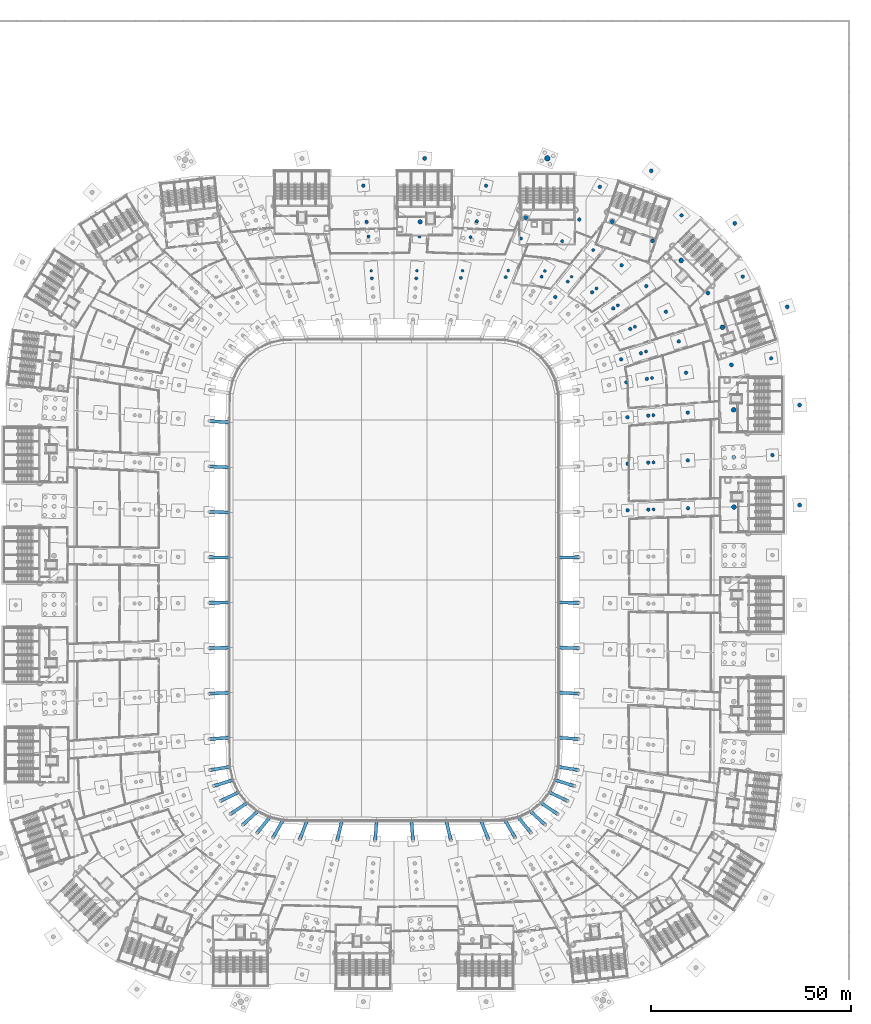
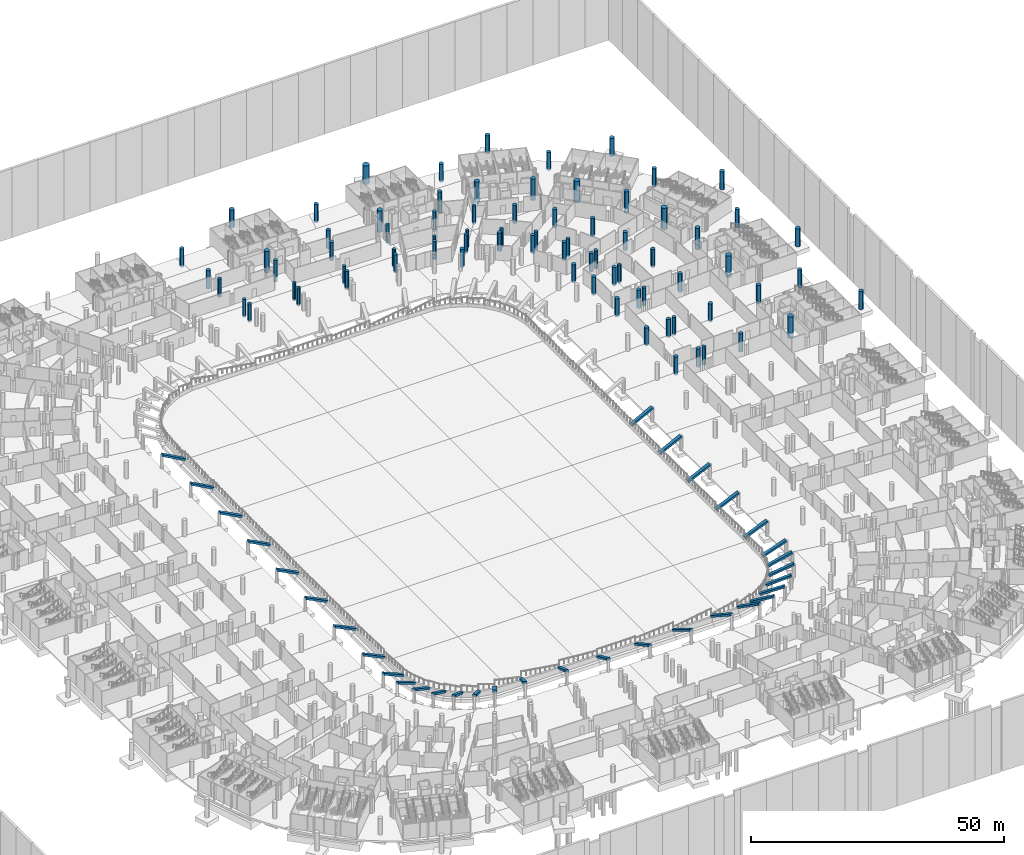
# One storey, part 12 of 142: 76 columns, 33 beams.
"""IFC4 building model written with IfcOpenShell, lengths in metres."""

from ifc_helpers import new_model, si_unit, direction, frame, origin, origin_2d, place, context, subcontext, project, spatial, rectangle, circle, extrude, material, material_profile, profile_set, type_object, element, save


model = new_model("IFC4")

# Units and contexts
model_context = context("Model", 3, precision=1e-05, world=origin(), true_north=direction((0.0, 1.0)))
body_context = subcontext(model_context, "Body", "Model", "MODEL_VIEW")
ifc_project = project(units=[si_unit("LENGTHUNIT", "METRE"), si_unit("AREAUNIT", "SQUARE_METRE"), si_unit("VOLUMEUNIT", "CUBIC_METRE"), si_unit("PLANEANGLEUNIT", "RADIAN"), si_unit("MASSUNIT", "GRAM", prefix="KILO")], contexts=[model_context])

# Site, building, storey
site_placement = place(None, origin())
site = spatial("IfcSite", under=ifc_project, at=site_placement, CompositionType="ELEMENT")
building_placement = place(site_placement, origin())
building = spatial("IfcBuilding", under=site, at=building_placement, Name="Meseta Stadium", CompositionType="ELEMENT")
storey_placement = place(building_placement, frame((0.0, 0.0, -4.0)))
storey = spatial("IfcBuildingStorey", under=building, at=storey_placement, Name="B1", CompositionType="ELEMENT", Elevation=-4.0)

# Columns
ifc_material_1 = material(Name="Concrete C40/50", Category="concrete")
ifc_material_profile_1 = material_profile(ifc_material_1, circle(Radius=0.5, at=origin_2d()), Name="RC D1000")
ifc_profile_set_1 = profile_set([ifc_material_profile_1], Name="Concrete C40/50")
column_type_1 = type_object("IfcColumnType", Name="RC column D1000", PredefinedType="COLUMN", material=ifc_profile_set_1)
for number, where, z_axis, x_axis, name in (
    (1, (101.39990234375, 18.75, -0.39990234375), (0.0, 0.0, 1.0), (1.0, 0.0, 0.0), "Column C10 B1 frame 6 line R"),
    (2, (84.92529296875, 30.681640625, -0.39990234375), (0.0, 0.0, 1.0), (1.0, 0.0, 0.0), "Column C10 B1 frame 7 line P"),
    (3, (101.39990234375, 43.75, -0.39990234375), (0.0, 0.0, 1.0), (1.0, 0.0, 0.0), "Column C10 B1 frame 8 line R"),
):
    element("IfcColumn", number, at=place(storey_placement, frame(where, z_axis=z_axis, x_axis=x_axis)), inside=storey, type_object=column_type_1, Name=name, PredefinedType="COLUMN", context=body_context, shape_type="SweptSolid", body=[
        extrude(circle(Radius=0.5, at=origin_2d()), origin(), (0.0, 0.0, 1.0), 4.39990234375),
    ])
column_1_placement = place(storey_placement, frame((84.3251953125, 53.801513671875, -1.199951171875), z_axis=(0.0, 0.0, 1.0), x_axis=(1.0, 0.0, 0.0)))
element("IfcColumn", 4, at=column_1_placement, inside=storey, type_object=column_type_1, Name="Column C10 B1 frame 9 line P", PredefinedType="COLUMN", context=body_context, shape_type="SweptSolid", body=[
    extrude(circle(Radius=0.5, at=origin_2d()), origin(), (0.0, 0.0, 1.0), 5.199951171875),
])
column_2_placement = place(storey_placement, frame((98.291015625, 68.29736328125, -0.39990234375), z_axis=(0.0, 0.0, 1.0), x_axis=(1.0, 0.0, 0.0)))
element("IfcColumn", 5, at=column_2_placement, inside=storey, type_object=column_type_1, Name="Column C10 B1 frame 10 line R", PredefinedType="COLUMN", context=body_context, shape_type="SweptSolid", body=[
    extrude(circle(Radius=0.5, at=origin_2d()), origin(), (0.0, 0.0, 1.0), 4.39990234375),
])
column_3_placement = place(storey_placement, frame((78.4453125, 71.756103515625, -1.199951171875), z_axis=(0.0, 0.0, 1.0), x_axis=(1.0, 0.0, 0.0)))
element("IfcColumn", 6, at=column_3_placement, inside=storey, type_object=column_type_1, Name="Column C10 B1 frame 11 line P", PredefinedType="COLUMN", context=body_context, shape_type="SweptSolid", body=[
    extrude(circle(Radius=0.5, at=origin_2d()), origin(), (0.0, 0.0, 1.0), 5.199951171875),
])
column_4_placement = place(storey_placement, frame((85.173828125, 89.173828125, -0.39990234375), z_axis=(0.0, 0.0, 1.0), x_axis=(1.0, 0.0, 0.0)))
element("IfcColumn", 7, at=column_4_placement, inside=storey, type_object=column_type_1, Name="Column C10 B1 frame 12 line R", PredefinedType="COLUMN", context=body_context, shape_type="SweptSolid", body=[
    extrude(circle(Radius=0.5, at=origin_2d()), origin(), (0.0, 0.0, 1.0), 4.39990234375),
])
column_5_placement = place(storey_placement, frame((64.6220703125, 84.79248046875, -1.199951171875), z_axis=(0.0, 0.0, 1.0), x_axis=(1.0, 0.0, 0.0)))
element("IfcColumn", 8, at=column_5_placement, inside=storey, type_object=column_type_1, Name="Column C10 B1 frame 13 line P", PredefinedType="COLUMN", context=body_context, shape_type="SweptSolid", body=[
    extrude(circle(Radius=0.5, at=origin_2d()), origin(), (0.0, 0.0, 1.0), 5.199951171875),
])
for number, where, z_axis, x_axis, name in (
    (9, (64.29736328125, 102.291015625, -0.39990234375), (0.0, 0.0, 1.0), (1.0, 0.0, 0.0), "Column C10 B1 frame 14 line R"),
    (10, (7.666748046875, 105.39990234375, -0.39990234375), (0.0, 0.0, 1.0), (1.0, 0.0, 0.0), "Column C10 B1 frame 18 line R"),
):
    element("IfcColumn", number, at=place(storey_placement, frame(where, z_axis=z_axis, x_axis=x_axis)), inside=storey, type_object=column_type_1, Name=name, PredefinedType="COLUMN", context=body_context, shape_type="SweptSolid", body=[
        extrude(circle(Radius=0.5, at=origin_2d()), origin(), (0.0, 0.0, 1.0), 4.39990234375),
    ])
ifc_material_2 = material(Name="Concrete C40/50", Category="concrete")
ifc_material_profile_2 = material_profile(ifc_material_2, circle(Radius=0.550048828125, at=origin_2d()), Name="RC D1100")
ifc_profile_set_2 = profile_set([ifc_material_profile_2], Name="Concrete C40/50")
column_type_2 = type_object("IfcColumnType", Name="RC column D1100", PredefinedType="COLUMN", material=ifc_profile_set_2)
for number, where, z_axis, x_axis, name in (
    (11, (54.523193359375, 89.579345703125, -1.199951171875), (0.0, 0.0, 1.0), (1.0, 0.0, 0.0), "Column C11 B1 frame 14 line P"),
    (12, (32.944091796875, 90.551025390625, -1.199951171875), (0.0, 0.0, 1.0), (1.0, 0.0, 0.0), "Column C11 B1 frame 16 line P"),
    (13, (6.51708984375, 89.54638671875, -1.199951171875), (0.0, 0.0, 1.0), (1.0, 0.0, 0.0), "Column C11 B1 frame 18 line P"),
):
    element("IfcColumn", number, at=place(storey_placement, frame(where, z_axis=z_axis, x_axis=x_axis)), inside=storey, type_object=column_type_2, Name=name, PredefinedType="COLUMN", context=body_context, shape_type="SweptSolid", body=[
        extrude(circle(Radius=0.550048828125, at=origin_2d()), origin(), (0.0, 0.0, 1.0), 5.199951171875),
    ])
ifc_material_3 = material(Name="Concrete C40/50", Category="concrete")
ifc_material_profile_3 = material_profile(ifc_material_3, circle(Radius=0.60009765625, at=origin_2d()), Name="RC D1200")
ifc_profile_set_3 = profile_set([ifc_material_profile_3], Name="Concrete C40/50")
column_type_3 = type_object("IfcColumnType", Name="RC column D1200", PredefinedType="COLUMN", material=ifc_profile_set_3)
for number, where, z_axis, x_axis, name in (
    (14, (84.978515625, 18.24365234375, -1.199951171875), (0.0, 0.0, 1.0), (1.0, 0.0, 0.0), "Column C12 B1 frame 6 line P"),
    (15, (84.884033203125, 42.5615234375, -1.199951171875), (0.0, 0.0, 1.0), (1.0, 0.0, 0.0), "Column C12 B1 frame 8 line P"),
    (16, (82.119873046875, 63.191162109375, -1.199951171875), (0.0, 0.0, 1.0), (1.0, 0.0, 0.0), "Column C12 B1 frame 10 line P"),
    (17, (71.775390625, 79.888916015625, -1.199951171875), (0.0, 0.0, 1.0), (1.0, 0.0, 0.0), "Column C12 B1 frame 12 line P"),
):
    element("IfcColumn", number, at=place(storey_placement, frame(where, z_axis=z_axis, x_axis=x_axis)), inside=storey, type_object=column_type_3, Name=name, PredefinedType="COLUMN", context=body_context, shape_type="SweptSolid", body=[
        extrude(circle(Radius=0.60009765625, at=origin_2d()), origin(), (0.0, 0.0, 1.0), 5.199951171875),
    ])
ifc_material_4 = material(Name="Concrete C40/50", Category="concrete")
ifc_material_profile_4 = material_profile(ifc_material_4, circle(Radius=0.699951171875, at=origin_2d()), Name="RC D1400")
ifc_profile_set_4 = profile_set([ifc_material_profile_4], Name="Concrete C40/50")
column_type_4 = type_object("IfcColumnType", Name="RC column D1400", PredefinedType="COLUMN", material=ifc_profile_set_4)
column_6_placement = place(storey_placement, frame((38.333251953125, 105.39990234375, -0.39990234375), z_axis=(0.0, 0.0, 1.0), x_axis=(1.0, 0.0, 0.0)))
element("IfcColumn", 18, at=column_6_placement, inside=storey, type_object=column_type_4, Name="Column C14 B1 frame 16 line R", PredefinedType="COLUMN", context=body_context, shape_type="SweptSolid", body=[
    extrude(circle(Radius=0.699951171875, at=origin_2d()), origin(), (0.0, 0.0, 1.0), 4.39990234375),
])
ifc_material_5 = material(Name="Concrete C40/50", Category="concrete")
ifc_material_profile_5 = material_profile(ifc_material_5, circle(Radius=0.35009765625, at=origin_2d()), Name="RC D700")
ifc_profile_set_5 = profile_set([ifc_material_profile_5], Name="Concrete C40/50")
column_type_5 = type_object("IfcColumnType", Name="RC column D700", PredefinedType="COLUMN", material=ifc_profile_set_5)
for number, where, z_axis, x_axis, name in (
    (19, (44.39013671875, 75.806396484375, -0.39990234375), (0.0, 0.0, 1.0), (1.0, 0.0, 0.0), "Column C7 B1 frame 14 line D"),
    (20, (37.711669921875, 77.26171875, -0.39990234375), (0.0, 0.0, 1.0), (1.0, 0.0, 0.0), "Column C7 B1 frame 15 line D"),
    (21, (28.564697265625, 77.38330078125, -0.39990234375), (0.0, 0.0, 1.0), (1.0, 0.0, 0.0), "Column C7 B1 frame 16 line D"),
    (22, (17.126708984375, 77.33203125, -0.39990234375), (0.0, 0.0, 1.0), (1.0, 0.0, 0.0), "Column C7 B1 frame 17 line D"),
    (23, (5.70654296875, 77.3037109375, -0.39990234375), (0.0, 0.0, 1.0), (1.0, 0.0, 0.0), "Column C7 B1 frame 18 line D"),
    (24, (-5.70654296875, 77.3037109375, -0.39990234375), (0.0, 0.0, 1.0), (1.0, 0.0, 0.0), "Column C7 B1 frame 19 line D"),
):
    element("IfcColumn", number, at=place(storey_placement, frame(where, z_axis=z_axis, x_axis=x_axis)), inside=storey, type_object=column_type_5, Name=name, PredefinedType="COLUMN", context=body_context, shape_type="SweptSolid", body=[
        extrude(circle(Radius=0.35009765625, at=origin_2d()), origin(), (0.0, 0.0, 1.0), 4.39990234375),
    ])
ifc_material_6 = material(Name="Concrete C40/50", Category="concrete")
ifc_material_profile_6 = material_profile(ifc_material_6, circle(Radius=0.39990234375, at=origin_2d()), Name="RC D800")
ifc_profile_set_6 = profile_set([ifc_material_profile_6], Name="Concrete C40/50")
column_type_6 = type_object("IfcColumnType", Name="RC column D800", PredefinedType="COLUMN", material=ifc_profile_set_6)
for number, where, z_axis, x_axis, name in (
    (25, (64.886962890625, 17.66064453125, -0.39990234375), (0.0, 0.0, 1.0), (1.0, 0.0, 0.0), "Column C8 B1 frame 6 line D"),
    (26, (64.8642578125, 29.433349609375, -0.39990234375), (0.0, 0.0, 1.0), (1.0, 0.0, 0.0), "Column C8 B1 frame 7 line D"),
    (27, (64.829833984375, 41.2041015625, -0.39990234375), (0.0, 0.0, 1.0), (1.0, 0.0, 0.0), "Column C8 B1 frame 8 line D"),
    (28, (64.501708984375, 50.479736328125, -0.39990234375), (0.0, 0.0, 1.0), (1.0, 0.0, 0.0), "Column C8 B1 frame 9 line D"),
    (29, (62.963623046875, 57.1044921875, -0.39990234375), (0.0, 0.0, 1.0), (1.0, 0.0, 0.0), "Column C8 B1 frame 10 line D"),
    (30, (60.22216796875, 63.33056640625, -0.39990234375), (0.0, 0.0, 1.0), (1.0, 0.0, 0.0), "Column C8 B1 frame 11 line D"),
    (31, (55.940185546875, 68.657958984375, -0.39990234375), (0.0, 0.0, 1.0), (1.0, 0.0, 0.0), "Column C8 B1 frame 12 line D"),
    (32, (50.571533203125, 72.888671875, -0.39990234375), (0.0, 0.0, 1.0), (1.0, 0.0, 0.0), "Column C8 B1 frame 13 line D"),
    (33, (43.430419921875, 74.617431640625, -0.39990234375), (0.0, 0.0, 1.0), (1.0, 0.0, 0.0), "Column C8 B1 frame 14 line C"),
    (34, (49.791259765625, 82.498779296875, -0.39990234375), (0.0, 0.0, 1.0), (1.0, 0.0, 0.0), "Column C8 B1 frame 14 line E"),
    (35, (36.8857421875, 75.8330078125, -0.39990234375), (0.0, 0.0, 1.0), (1.0, 0.0, 0.0), "Column C8 B1 frame 15 line C"),
    (36, (42.015625, 84.707275390625, -0.39990234375), (0.0, 0.0, 1.0), (1.0, 0.0, 0.0), "Column C8 B1 frame 15 line E"),
    (37, (27.910888671875, 75.735595703125, -0.39990234375), (0.0, 0.0, 1.0), (1.0, 0.0, 0.0), "Column C8 B1 frame 16 line C"),
    (38, (31.73681640625, 85.376708984375, -0.39990234375), (0.0, 0.0, 1.0), (1.0, 0.0, 0.0), "Column C8 B1 frame 16 line E"),
    (39, (16.697509765625, 75.529541015625, -0.39990234375), (0.0, 0.0, 1.0), (1.0, 0.0, 0.0), "Column C8 B1 frame 17 line C"),
    (40, (19.11865234375, 85.6982421875, -0.39990234375), (0.0, 0.0, 1.0), (1.0, 0.0, 0.0), "Column C8 B1 frame 17 line E"),
    (41, (5.556640625, 75.4150390625, -0.39990234375), (0.0, 0.0, 1.0), (1.0, 0.0, 0.0), "Column C8 B1 frame 18 line C"),
):
    element("IfcColumn", number, at=place(storey_placement, frame(where, z_axis=z_axis, x_axis=x_axis)), inside=storey, type_object=column_type_6, Name=name, PredefinedType="COLUMN", context=body_context, shape_type="SweptSolid", body=[
        extrude(circle(Radius=0.39990234375, at=origin_2d()), origin(), (0.0, 0.0, 1.0), 4.39990234375),
    ])
column_7_placement = place(storey_placement, frame((6.386962890625, 85.876708984375, -1.199951171875), z_axis=(0.0, 0.0, 1.0), x_axis=(1.0, 0.0, 0.0)))
element("IfcColumn", 42, at=column_7_placement, inside=storey, type_object=column_type_6, Name="Column C8 B1 frame 18 line E", PredefinedType="COLUMN", context=body_context, shape_type="SweptSolid", body=[
    extrude(circle(Radius=0.39990234375, at=origin_2d()), origin(), (0.0, 0.0, 1.0), 5.199951171875),
])
for number, where, z_axis, x_axis, name in (
    (43, (-5.556640625, 75.4150390625, -0.39990234375), (0.0, 0.0, 1.0), (1.0, 0.0, 0.0), "Column C8 B1 frame 19 line C"),
    (44, (-6.386962890625, 85.876708984375, -0.39990234375), (0.0, 0.0, 1.0), (1.0, 0.0, 0.0), "Column C8 B1 frame 19 line E"),
):
    element("IfcColumn", number, at=place(storey_placement, frame(where, z_axis=z_axis, x_axis=x_axis)), inside=storey, type_object=column_type_6, Name=name, PredefinedType="COLUMN", context=body_context, shape_type="SweptSolid", body=[
        extrude(circle(Radius=0.39990234375, at=origin_2d()), origin(), (0.0, 0.0, 1.0), 4.39990234375),
    ])
ifc_material_7 = material(Name="Concrete C40/50", Category="concrete")
ifc_material_profile_7 = material_profile(ifc_material_7, circle(Radius=0.449951171875, at=origin_2d()), Name="RC D900")
ifc_profile_set_7 = profile_set([ifc_material_profile_7], Name="Concrete C40/50")
column_type_7 = type_object("IfcColumnType", Name="RC column D900", PredefinedType="COLUMN", material=ifc_profile_set_7)
for number, where, z_axis, x_axis, name in (
    (45, (58.390625, 17.447021484375, -0.39990234375), (0.0, 0.0, 1.0), (1.0, 0.0, 0.0), "Column C9 B1 frame 6 line U"),
    (46, (63.587890625, 17.617919921875, -0.39990234375), (0.0, 0.0, 1.0), (1.0, 0.0, 0.0), "Column C9 B1 frame 6 line C"),
    (47, (73.482421875, 17.943603515625, -0.39990234375), (0.0, 0.0, 1.0), (1.0, 0.0, 0.0), "Column C9 B1 frame 6 line E"),
    (48, (58.3740234375, 29.07763671875, -0.39990234375), (0.0, 0.0, 1.0), (1.0, 0.0, 0.0), "Column C9 B1 frame 7 line U"),
    (49, (63.566162109375, 29.362060546875, -0.39990234375), (0.0, 0.0, 1.0), (1.0, 0.0, 0.0), "Column C9 B1 frame 7 line C"),
    (50, (73.451171875, 29.904052734375, -0.39990234375), (0.0, 0.0, 1.0), (1.0, 0.0, 0.0), "Column C9 B1 frame 7 line E"),
    (51, (94.60009765625, 31.25, -0.39990234375), (0.0, 0.0, 1.0), (1.0, 0.0, 0.0), "Column C9 B1 frame 7 line R"),
    (52, (58.348876953125, 40.70654296875, -0.39990234375), (0.0, 0.0, 1.0), (1.0, 0.0, 0.0), "Column C9 B1 frame 8 line U"),
    (53, (63.53369140625, 41.1044921875, -0.39990234375), (0.0, 0.0, 1.0), (1.0, 0.0, 0.0), "Column C9 B1 frame 8 line C"),
    (54, (73.40478515625, 41.8623046875, -0.39990234375), (0.0, 0.0, 1.0), (1.0, 0.0, 0.0), "Column C9 B1 frame 8 line E"),
    (55, (58.084228515625, 49.4462890625, -0.39990234375), (0.0, 0.0, 1.0), (1.0, 0.0, 0.0), "Column C9 B1 frame 9 line U"),
    (56, (63.21826171875, 50.27294921875, -0.39990234375), (0.0, 0.0, 1.0), (1.0, 0.0, 0.0), "Column C9 B1 frame 9 line C"),
    (57, (72.9921875, 51.84716796875, -0.39990234375), (0.0, 0.0, 1.0), (1.0, 0.0, 0.0), "Column C9 B1 frame 9 line E"),
    (58, (94.29443359375, 55.44140625, -0.39990234375), (0.0, 0.0, 1.0), (1.0, 0.0, 0.0), "Column C9 B1 frame 9 line R"),
    (59, (56.76123046875, 55.15966796875, -0.39990234375), (0.0, 0.0, 1.0), (1.0, 0.0, 0.0), "Column C9 B1 frame 10 line U"),
    (60, (61.72314453125, 56.715576171875, -0.39990234375), (0.0, 0.0, 1.0), (1.0, 0.0, 0.0), "Column C9 B1 frame 10 line C"),
    (61, (71.169677734375, 59.67724609375, -0.39990234375), (0.0, 0.0, 1.0), (1.0, 0.0, 0.0), "Column C9 B1 frame 10 line E"),
    (62, (59.049072265625, 62.766357421875, -0.39990234375), (0.0, 0.0, 1.0), (1.0, 0.0, 0.0), "Column C9 B1 frame 11 line C"),
    (63, (67.972412109375, 67.057861328125, -0.39990234375), (0.0, 0.0, 1.0), (1.0, 0.0, 0.0), "Column C9 B1 frame 11 line E"),
    (64, (87.15087890625, 75.856689453125, -0.39990234375), (0.0, 0.0, 1.0), (1.0, 0.0, 0.0), "Column C9 B1 frame 11 line R"),
    (65, (54.819580078125, 67.901611328125, -0.39990234375), (0.0, 0.0, 1.0), (1.0, 0.0, 0.0), "Column C9 B1 frame 12 line C"),
    (66, (63.068115234375, 73.469970703125, -0.39990234375), (0.0, 0.0, 1.0), (1.0, 0.0, 0.0), "Column C9 B1 frame 12 line E"),
    (67, (49.518310546875, 71.924560546875, -0.39990234375), (0.0, 0.0, 1.0), (1.0, 0.0, 0.0), "Column C9 B1 frame 13 line C"),
    (68, (56.9150390625, 78.69580078125, -0.39990234375), (0.0, 0.0, 1.0), (1.0, 0.0, 0.0), "Column C9 B1 frame 13 line E"),
    (69, (71.856689453125, 91.15087890625, -0.39990234375), (0.0, 0.0, 1.0), (1.0, 0.0, 0.0), "Column C9 B1 frame 13 line R"),
    (70, (40.307861328125, 70.748291015625, -0.39990234375), (0.0, 0.0, 1.0), (1.0, 0.0, 0.0), "Column C9 B1 frame 14 line U"),
):
    element("IfcColumn", number, at=place(storey_placement, frame(where, z_axis=z_axis, x_axis=x_axis)), inside=storey, type_object=column_type_7, Name=name, PredefinedType="COLUMN", context=body_context, shape_type="SweptSolid", body=[
        extrude(circle(Radius=0.449951171875, at=origin_2d()), origin(), (0.0, 0.0, 1.0), 4.39990234375),
    ])
column_8_placement = place(storey_placement, frame((46.333251953125, 90.126220703125, -1.199951171875), z_axis=(0.0, 0.0, 1.0), x_axis=(1.0, 0.0, 0.0)))
element("IfcColumn", 71, at=column_8_placement, inside=storey, type_object=column_type_7, Name="Column C9 B1 frame 15 line P", PredefinedType="COLUMN", context=body_context, shape_type="SweptSolid", body=[
    extrude(circle(Radius=0.449951171875, at=origin_2d()), origin(), (0.0, 0.0, 1.0), 5.199951171875),
])
for number, where, z_axis, x_axis, name in (
    (72, (51.44140625, 98.29443359375, -0.39990234375), (0.0, 0.0, 1.0), (1.0, 0.0, 0.0), "Column C9 B1 frame 15 line R"),
    (73, (20.649658203125, 89.65625, -0.39990234375), (0.0, 0.0, 1.0), (1.0, 0.0, 0.0), "Column C9 B1 frame 17 line P"),
    (74, (23.0, 98.60009765625, -0.39990234375), (0.0, 0.0, 1.0), (1.0, 0.0, 0.0), "Column C9 B1 frame 17 line R"),
    (75, (-6.870849609375, 89.517822265625, -0.39990234375), (0.0, 0.0, 1.0), (1.0, 0.0, 0.0), "Column C9 B1 frame 19 line P"),
    (76, (-7.666748046875, 98.60009765625, -0.39990234375), (0.0, 0.0, 1.0), (1.0, 0.0, 0.0), "Column C9 B1 frame 19 line R"),
):
    element("IfcColumn", number, at=place(storey_placement, frame(where, z_axis=z_axis, x_axis=x_axis)), inside=storey, type_object=column_type_7, Name=name, PredefinedType="COLUMN", context=body_context, shape_type="SweptSolid", body=[
        extrude(circle(Radius=0.449951171875, at=origin_2d()), origin(), (0.0, 0.0, 1.0), 4.39990234375),
    ])

# Beams
ifc_material_8 = material(Name="Concrete C40/50", Category="concrete")
ifc_material_profile_8 = material_profile(ifc_material_8, rectangle(XDim=0.800048828125, YDim=0.449951171875, at=origin_2d()), Name="RC 800x450")
ifc_profile_set_8 = profile_set([ifc_material_profile_8], Name="Concrete C40/50")
beam_type = type_object("IfcBeamType", Name="RC raker lower 800x450", PredefinedType="USERDEFINED", material=ifc_profile_set_8)
beam_1_placement = place(storey_placement, frame((41.10302734375, -46.711181640625, 0.65234375), z_axis=(0.879657268627, -0.141693557068, 0.454011041315), x_axis=(0.159028264924, 0.987274030325, 0.0)))
element("IfcBeam", 77, at=beam_1_placement, inside=storey, type_object=beam_type, Name="Raker lower frame 0 lower tier", ObjectType="RAKER", PredefinedType="USERDEFINED", context=body_context, shape_type="SweptSolid", body=[
    extrude(rectangle(XDim=0.800048828125, YDim=0.449951171875, at=origin_2d()), origin(), (0.0, 0.0, 1.0), 5.61181640625),
])
for number, where, z_axis, x_axis, name in (
    (78, (41.199462890625, -39.390380859375, 0.64501953125), (0.888255930524, -0.06816342033, 0.454263304724), (0.076513536062, 0.997068542679, 0.0), "Raker lower frame 1 lower tier"),
    (79, (41.19970703125, -28.135986328125, 0.582275390625), (0.889511317653, -0.048762393618, 0.454303692189), (0.054737121461, 0.998500799967, 0.0), "Raker lower frame 2 lower tier"),
):
    element("IfcBeam", number, at=place(storey_placement, frame(where, z_axis=z_axis, x_axis=x_axis)), inside=storey, type_object=beam_type, Name=name, ObjectType="RAKER", PredefinedType="USERDEFINED", context=body_context, shape_type="SweptSolid", body=[
        extrude(rectangle(XDim=0.800048828125, YDim=0.449951171875, at=origin_2d()), origin(), (0.0, 0.0, 1.0), 5.612548828125),
    ])
beam_2_placement = place(storey_placement, frame((41.199951171875, -16.881591796875, 0.519287109375), z_axis=(0.890351363986, -0.029273851579, 0.454331916402), x_axis=(0.032861230583, 0.999459923921, 0.0)))
element("IfcBeam", 80, at=beam_2_placement, inside=storey, type_object=beam_type, Name="Raker lower frame 3 lower tier", ObjectType="RAKER", PredefinedType="USERDEFINED", context=body_context, shape_type="SweptSolid", body=[
    extrude(rectangle(XDim=0.800048828125, YDim=0.449951171875, at=origin_2d()), origin(), (0.0, 0.0, 1.0), 5.61279296875),
])
for number, where, z_axis, x_axis, name in (
    (81, (41.199951171875, -5.627197265625, 0.45654296875), (0.890798274054, -0.009743581883, 0.454294505309), (0.010937379826, 0.999940185072, 0.0), "Raker lower frame 4 lower tier"),
    (82, (41.199951171875, 5.627197265625, 0.45654296875), (0.890798274054, 0.009743581883, 0.454294505309), (-0.010937379826, 0.999940185072, 0.0), "Raker lower frame 5 lower tier"),
    (83, (-41.199462890625, 39.390380859375, 0.64501953125), (-0.888255930524, 0.06816342033, 0.454263304724), (-0.076513536062, -0.997068542679, 0.0), "Raker lower frame 29 lower tier"),
    (84, (-41.19970703125, 28.135986328125, 0.582275390625), (-0.889511317653, 0.048762393618, 0.454303692189), (-0.054737121461, -0.998500799967, 0.0), "Raker lower frame 30 lower tier"),
):
    element("IfcBeam", number, at=place(storey_placement, frame(where, z_axis=z_axis, x_axis=x_axis)), inside=storey, type_object=beam_type, Name=name, ObjectType="RAKER", PredefinedType="USERDEFINED", context=body_context, shape_type="SweptSolid", body=[
        extrude(rectangle(XDim=0.800048828125, YDim=0.449951171875, at=origin_2d()), origin(), (0.0, 0.0, 1.0), 5.612548828125),
    ])
beam_3_placement = place(storey_placement, frame((-41.199951171875, 16.881591796875, 0.519287109375), z_axis=(-0.890351363986, 0.029273851579, 0.454331916402), x_axis=(-0.032861230583, -0.999459923921, 0.0)))
element("IfcBeam", 85, at=beam_3_placement, inside=storey, type_object=beam_type, Name="Raker lower frame 31 lower tier", ObjectType="RAKER", PredefinedType="USERDEFINED", context=body_context, shape_type="SweptSolid", body=[
    extrude(rectangle(XDim=0.800048828125, YDim=0.449951171875, at=origin_2d()), origin(), (0.0, 0.0, 1.0), 5.61279296875),
])
for number, where, z_axis, x_axis, name in (
    (86, (-41.199951171875, 5.627197265625, 0.45654296875), (-0.890798274054, 0.009743581883, 0.454294505309), (-0.010937379826, -0.999940185072, 0.0), "Raker lower frame 32 lower tier"),
    (87, (-41.199951171875, -5.627197265625, 0.45654296875), (-0.890798274054, -0.009743581883, 0.454294505309), (0.010937379826, -0.999940185072, 0.0), "Raker lower frame 33 lower tier"),
):
    element("IfcBeam", number, at=place(storey_placement, frame(where, z_axis=z_axis, x_axis=x_axis)), inside=storey, type_object=beam_type, Name=name, ObjectType="RAKER", PredefinedType="USERDEFINED", context=body_context, shape_type="SweptSolid", body=[
        extrude(rectangle(XDim=0.800048828125, YDim=0.449951171875, at=origin_2d()), origin(), (0.0, 0.0, 1.0), 5.612548828125),
    ])
beam_4_placement = place(storey_placement, frame((-41.199951171875, -16.881591796875, 0.519287109375), z_axis=(-0.890351363986, -0.029273851579, 0.454331916402), x_axis=(0.032861230583, -0.999459923921, 0.0)))
element("IfcBeam", 88, at=beam_4_placement, inside=storey, type_object=beam_type, Name="Raker lower frame 34 lower tier", ObjectType="RAKER", PredefinedType="USERDEFINED", context=body_context, shape_type="SweptSolid", body=[
    extrude(rectangle(XDim=0.800048828125, YDim=0.449951171875, at=origin_2d()), origin(), (0.0, 0.0, 1.0), 5.61279296875),
])
for number, where, z_axis, x_axis, name in (
    (89, (-41.19970703125, -28.135986328125, 0.582275390625), (-0.889511317653, -0.048762393618, 0.454303692189), (0.054737121461, -0.998500799967, 0.0), "Raker lower frame 35 lower tier"),
    (90, (-41.199462890625, -39.390380859375, 0.64501953125), (-0.888255930524, -0.06816342033, 0.454263304724), (0.076513536062, -0.997068542679, 0.0), "Raker lower frame 36 lower tier"),
):
    element("IfcBeam", number, at=place(storey_placement, frame(where, z_axis=z_axis, x_axis=x_axis)), inside=storey, type_object=beam_type, Name=name, ObjectType="RAKER", PredefinedType="USERDEFINED", context=body_context, shape_type="SweptSolid", body=[
        extrude(rectangle(XDim=0.800048828125, YDim=0.449951171875, at=origin_2d()), origin(), (0.0, 0.0, 1.0), 5.612548828125),
    ])
beam_5_placement = place(storey_placement, frame((-41.10302734375, -46.711181640625, 0.65234375), z_axis=(-0.879657268627, -0.141693557068, 0.454011041315), x_axis=(0.159028264924, -0.987274030325, 0.0)))
element("IfcBeam", 91, at=beam_5_placement, inside=storey, type_object=beam_type, Name="Raker lower frame 37 lower tier", ObjectType="RAKER", PredefinedType="USERDEFINED", context=body_context, shape_type="SweptSolid", body=[
    extrude(rectangle(XDim=0.800048828125, YDim=0.449951171875, at=origin_2d()), origin(), (0.0, 0.0, 1.0), 5.61181640625),
])
beam_6_placement = place(storey_placement, frame((-40.34912109375, -50.013916015625, 0.518798828125), z_axis=(-0.850475015067, -0.266692809965, 0.453395185087), x_axis=(0.299214559617, -0.95418585575, 0.0)))
element("IfcBeam", 92, at=beam_6_placement, inside=storey, type_object=beam_type, Name="Raker lower frame 38 lower tier", ObjectType="RAKER", PredefinedType="USERDEFINED", context=body_context, shape_type="SweptSolid", body=[
    extrude(rectangle(XDim=0.800048828125, YDim=0.449951171875, at=origin_2d()), origin(), (0.0, 0.0, 1.0), 5.60986328125),
])
for number, where, z_axis, x_axis, name in (
    (93, (-38.881103515625, -53.067138671875, 0.5869140625), (-0.803269686135, -0.386293641119, 0.453359718289), (0.433391294974, -0.901205850758, 0.0), "Raker lower frame 39 lower tier"),
    (94, (-36.7724609375, -55.718505859375, 0.652587890625), (-0.738726458975, -0.49870781745, 0.453402394816), (0.559524848094, -0.828813576364, 0.0), "Raker lower frame 40 lower tier"),
    (95, (-34.1279296875, -57.8359375, 0.71533203125), (-0.65749256228, -0.601827441001, 0.453329087755), (0.67519158345, -0.737642410412, 0.0), "Raker lower frame 41 lower tier"),
):
    element("IfcBeam", number, at=place(storey_placement, frame(where, z_axis=z_axis, x_axis=x_axis)), inside=storey, type_object=beam_type, Name=name, ObjectType="RAKER", PredefinedType="USERDEFINED", context=body_context, shape_type="SweptSolid", body=[
        extrude(rectangle(XDim=0.800048828125, YDim=0.449951171875, at=origin_2d()), origin(), (0.0, 0.0, 1.0), 5.609619140625),
    ])
beam_7_placement = place(storey_placement, frame((-31.079833984375, -59.31396484375, 0.773681640625), z_axis=(-0.559804362364, -0.693640345435, 0.453301386566), x_axis=(0.778184391553, -0.628035868994, 0.0)))
element("IfcBeam", 96, at=beam_7_placement, inside=storey, type_object=beam_type, Name="Raker lower frame 42 lower tier", ObjectType="RAKER", PredefinedType="USERDEFINED", context=body_context, shape_type="SweptSolid", body=[
    extrude(rectangle(XDim=0.800048828125, YDim=0.449951171875, at=origin_2d()), origin(), (0.0, 0.0, 1.0), 5.609375),
])
beam_8_placement = place(storey_placement, frame((-27.779541015625, -60.078857421875, 1.106201171875), z_axis=(-0.446036419897, -0.771653016021, 0.4534348189), x_axis=(0.865771523594, -0.500439475795, 0.0)))
element("IfcBeam", 97, at=beam_8_placement, inside=storey, type_object=beam_type, Name="Raker lower frame 43 lower tier", ObjectType="RAKER", PredefinedType="USERDEFINED", context=body_context, shape_type="SweptSolid", body=[
    extrude(rectangle(XDim=0.800048828125, YDim=0.449951171875, at=origin_2d()), origin(), (0.0, 0.0, 1.0), 5.60986328125),
])
beam_9_placement = place(storey_placement, frame((-21.740478515625, -60.185791015625, 1.125), z_axis=(-0.328737607393, -0.828458807512, 0.453417676917), x_axis=(0.929496822239, -0.368830120039, 0.0)))
element("IfcBeam", 98, at=beam_9_placement, inside=storey, type_object=beam_type, Name="Raker lower frame 44 lower tier", ObjectType="RAKER", PredefinedType="USERDEFINED", context=body_context, shape_type="SweptSolid", body=[
    extrude(rectangle(XDim=0.800048828125, YDim=0.449951171875, at=origin_2d()), origin(), (0.0, 0.0, 1.0), 5.610107421875),
])
beam_10_placement = place(storey_placement, frame((-13.04638671875, -60.194580078125, 0.802734375), z_axis=(-0.206437336138, -0.8671412709, 0.453265532056), x_axis=(0.972812501273, -0.231594122047, 0.0)))
element("IfcBeam", 99, at=beam_10_placement, inside=storey, type_object=beam_type, Name="Raker lower frame 45 lower tier", ObjectType="RAKER", PredefinedType="USERDEFINED", context=body_context, shape_type="SweptSolid", body=[
    extrude(rectangle(XDim=0.800048828125, YDim=0.449951171875, at=origin_2d()), origin(), (0.0, 0.0, 1.0), 5.609130859375),
])
for number, where, z_axis, x_axis, name in (
    (100, (-4.34912109375, -60.199462890625, 0.456298828125), (-0.070514381554, -0.888611789773, 0.453207247373), (0.996866309449, -0.079104747554, 0.0), "Raker lower frame 46 lower tier"),
    (101, (4.34912109375, -60.199462890625, 0.456298828125), (0.070514381554, -0.888611789773, 0.453207247373), (0.996866309449, 0.079104747554, 0.0), "Raker lower frame 47 lower tier"),
):
    element("IfcBeam", number, at=place(storey_placement, frame(where, z_axis=z_axis, x_axis=x_axis)), inside=storey, type_object=beam_type, Name=name, ObjectType="RAKER", PredefinedType="USERDEFINED", context=body_context, shape_type="SweptSolid", body=[
        extrude(rectangle(XDim=0.800048828125, YDim=0.449951171875, at=origin_2d()), origin(), (0.0, 0.0, 1.0), 5.60888671875),
    ])
beam_11_placement = place(storey_placement, frame((13.04638671875, -60.194580078125, 0.802734375), z_axis=(0.206437336138, -0.8671412709, 0.453265532056), x_axis=(0.972812501273, 0.231594122047, 0.0)))
element("IfcBeam", 102, at=beam_11_placement, inside=storey, type_object=beam_type, Name="Raker lower frame 48 lower tier", ObjectType="RAKER", PredefinedType="USERDEFINED", context=body_context, shape_type="SweptSolid", body=[
    extrude(rectangle(XDim=0.800048828125, YDim=0.449951171875, at=origin_2d()), origin(), (0.0, 0.0, 1.0), 5.609130859375),
])
beam_12_placement = place(storey_placement, frame((21.740478515625, -60.185791015625, 1.125), z_axis=(0.328737607393, -0.828458807512, 0.453417676917), x_axis=(0.929496822239, 0.368830120039, 0.0)))
element("IfcBeam", 103, at=beam_12_placement, inside=storey, type_object=beam_type, Name="Raker lower frame 49 lower tier", ObjectType="RAKER", PredefinedType="USERDEFINED", context=body_context, shape_type="SweptSolid", body=[
    extrude(rectangle(XDim=0.800048828125, YDim=0.449951171875, at=origin_2d()), origin(), (0.0, 0.0, 1.0), 5.610107421875),
])
beam_13_placement = place(storey_placement, frame((27.779541015625, -60.078857421875, 1.106201171875), z_axis=(0.446036419897, -0.771653016021, 0.4534348189), x_axis=(0.865771523594, 0.500439475795, 0.0)))
element("IfcBeam", 104, at=beam_13_placement, inside=storey, type_object=beam_type, Name="Raker lower frame 50 lower tier", ObjectType="RAKER", PredefinedType="USERDEFINED", context=body_context, shape_type="SweptSolid", body=[
    extrude(rectangle(XDim=0.800048828125, YDim=0.449951171875, at=origin_2d()), origin(), (0.0, 0.0, 1.0), 5.60986328125),
])
beam_14_placement = place(storey_placement, frame((31.079833984375, -59.31396484375, 0.773681640625), z_axis=(0.559804362364, -0.693640345435, 0.453301386566), x_axis=(0.778184391553, 0.628035868994, 0.0)))
element("IfcBeam", 105, at=beam_14_placement, inside=storey, type_object=beam_type, Name="Raker lower frame 51 lower tier", ObjectType="RAKER", PredefinedType="USERDEFINED", context=body_context, shape_type="SweptSolid", body=[
    extrude(rectangle(XDim=0.800048828125, YDim=0.449951171875, at=origin_2d()), origin(), (0.0, 0.0, 1.0), 5.609375),
])
for number, where, z_axis, x_axis, name in (
    (106, (34.1279296875, -57.8359375, 0.71533203125), (0.65749256228, -0.601827441001, 0.453329087755), (0.67519158345, 0.737642410412, 0.0), "Raker lower frame 52 lower tier"),
    (107, (36.7724609375, -55.718505859375, 0.652587890625), (0.738726458975, -0.49870781745, 0.453402394816), (0.559524848094, 0.828813576364, 0.0), "Raker lower frame 53 lower tier"),
    (108, (38.881103515625, -53.067138671875, 0.5869140625), (0.803269686135, -0.386293641119, 0.453359718289), (0.433391294974, 0.901205850758, 0.0), "Raker lower frame 54 lower tier"),
):
    element("IfcBeam", number, at=place(storey_placement, frame(where, z_axis=z_axis, x_axis=x_axis)), inside=storey, type_object=beam_type, Name=name, ObjectType="RAKER", PredefinedType="USERDEFINED", context=body_context, shape_type="SweptSolid", body=[
        extrude(rectangle(XDim=0.800048828125, YDim=0.449951171875, at=origin_2d()), origin(), (0.0, 0.0, 1.0), 5.609619140625),
    ])
beam_15_placement = place(storey_placement, frame((40.34912109375, -50.013916015625, 0.518798828125), z_axis=(0.850475015067, -0.266692809965, 0.453395185087), x_axis=(0.299214559617, 0.95418585575, 0.0)))
element("IfcBeam", 109, at=beam_15_placement, inside=storey, type_object=beam_type, Name="Raker lower frame 55 lower tier", ObjectType="RAKER", PredefinedType="USERDEFINED", context=body_context, shape_type="SweptSolid", body=[
    extrude(rectangle(XDim=0.800048828125, YDim=0.449951171875, at=origin_2d()), origin(), (0.0, 0.0, 1.0), 5.60986328125),
])

save(model, "model.ifc")
